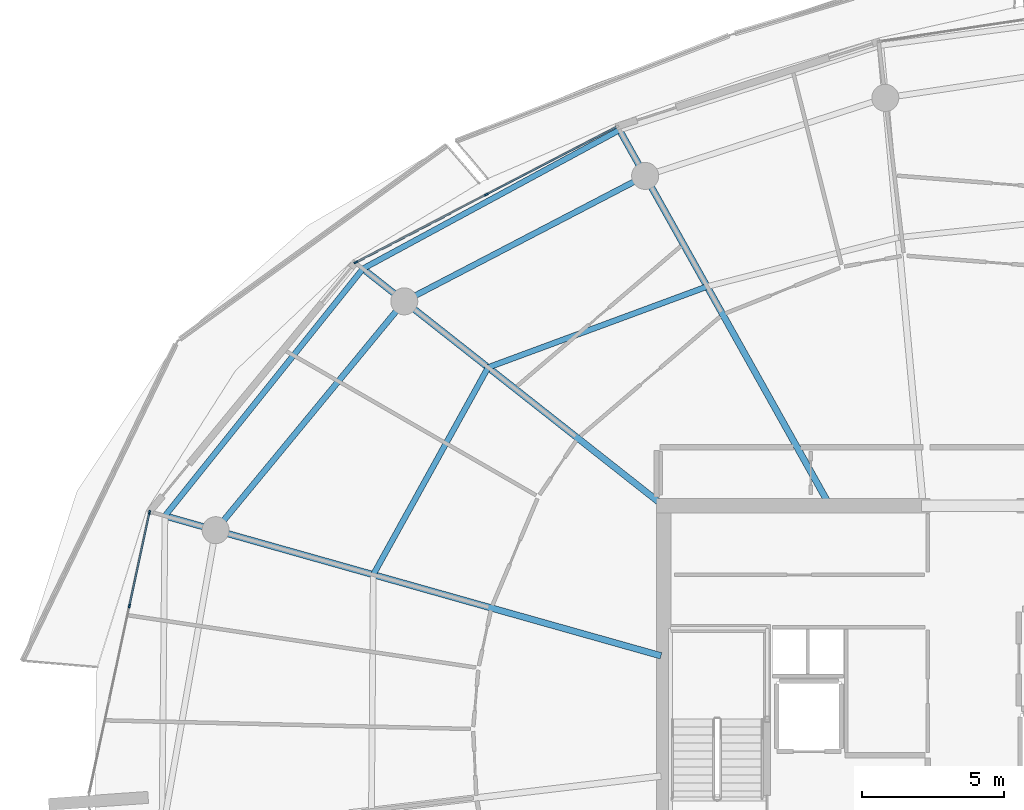
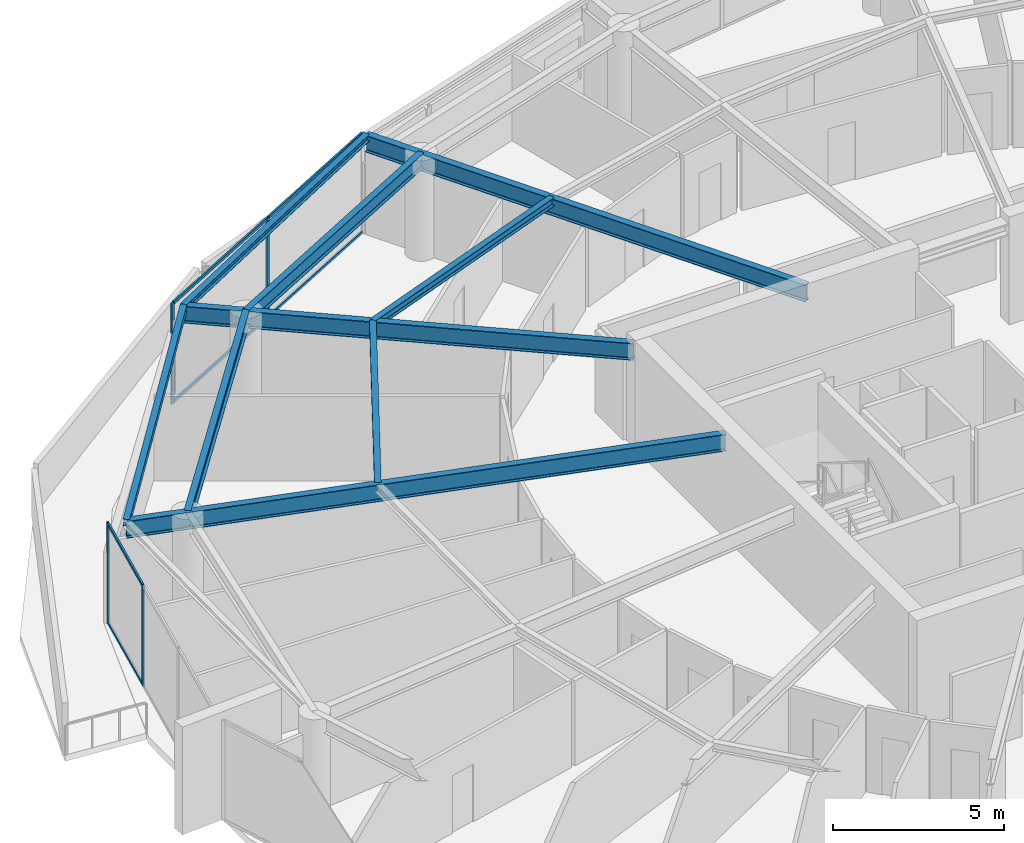
# One storey, part 12 of 30: 10 members, 9 beams, 2 elements without a shape of their own.
"""IFC4 building model written with IfcOpenShell, lengths in metres."""

from ifc_helpers import new_model, si_unit, direction, frame, origin, origin_2d, place, context, subcontext, project, spatial, rectangle, i_section, extrude, material, layer, layer_set, material_profile, profile_set, type_object, element, aggregate, save


model = new_model("IFC4")

# Units and contexts
model_context = context("Model", 3, precision=1e-05, world=origin(), true_north=direction((0.0, 1.0)))
body_context = subcontext(model_context, "Body", "Model", "MODEL_VIEW")
ifc_project = project(units=[si_unit("LENGTHUNIT", "METRE"), si_unit("AREAUNIT", "SQUARE_METRE"), si_unit("VOLUMEUNIT", "CUBIC_METRE"), si_unit("PLANEANGLEUNIT", "RADIAN"), si_unit("MASSUNIT", "GRAM", prefix="KILO")], contexts=[model_context])

# Site, building, storey
site_placement = place(None, origin())
site = spatial("IfcSite", under=ifc_project, at=site_placement, CompositionType="ELEMENT")
building_placement = place(site_placement, origin())
building = spatial("IfcBuilding", under=site, at=building_placement, Name="Kazma Halo Residences", CompositionType="ELEMENT")
storey_placement = place(building_placement, frame((0.0, 0.0, 290.60009765625)))
storey = spatial("IfcBuildingStorey", under=building, at=storey_placement, Name="L73", CompositionType="ELEMENT", Elevation=290.60009765625)

# Beams
ifc_material_1 = material(Name="Steel S355", Category="steel")
ifc_material_profile_1 = material_profile(ifc_material_1, i_section(OverallWidth=0.201904296875, OverallDepth=0.2470703125, WebThickness=0.00732421875, FlangeThickness=0.010986328125, FilletRadius=0.011962890625, at=origin_2d()), Name="W250x49.1")
ifc_profile_set_1 = profile_set([ifc_material_profile_1], Name="Steel S355")
beam_type_1 = type_object("IfcBeamType", Name="BM-BAL-CANT", PredefinedType="BEAM", material=ifc_profile_set_1)
beam_1_placement = place(storey_placement, frame((35.990478515625, 63.444580078125, 3.46630859375), z_axis=(-0.879517282036, -0.475866946321, 0.0), x_axis=(0.475866946321, -0.879517282036, 0.0)))
element("IfcBeam", 1, at=beam_1_placement, inside=storey, type_object=beam_type_1, Name="L73 wave-balcony tie beam 05", PredefinedType="BEAM", context=body_context, shape_type="SweptSolid", body=[
    extrude(i_section(OverallWidth=0.201904296875, OverallDepth=0.2470703125, WebThickness=0.00732421875, FlangeThickness=0.010986328125, FilletRadius=0.011962890625, at=origin_2d()), origin(), (0.0, 0.0, 1.0), 10.243408203125),
])
beam_2_placement = place(storey_placement, frame((26.981201171875, 58.570068359375, 3.46630859375), z_axis=(-0.625117912406, -0.780530329705, 0.0), x_axis=(0.780530329705, -0.625117912406, 0.0)))
element("IfcBeam", 2, at=beam_2_placement, inside=storey, type_object=beam_type_1, Name="L73 wave-balcony tie beam 06", PredefinedType="BEAM", context=body_context, shape_type="SweptSolid", body=[
    extrude(i_section(OverallWidth=0.201904296875, OverallDepth=0.2470703125, WebThickness=0.00732421875, FlangeThickness=0.010986328125, FilletRadius=0.011962890625, at=origin_2d()), origin(), (0.0, 0.0, 1.0), 11.1220703125),
])
ifc_material_profile_2 = material_profile(ifc_material_1, i_section(OverallWidth=0.22802734375, OverallDepth=0.60791015625, WebThickness=0.01123046875, FlangeThickness=0.017333984375, FilletRadius=0.01806640625, at=origin_2d()), Name="W610x113")
ifc_profile_set_2 = profile_set([ifc_material_profile_2], Name="Steel S355")
beam_type_2 = type_object("IfcBeamType", Name="BM-RAD-W610", PredefinedType="BEAM", material=ifc_profile_set_2)
beam_3_placement = place(storey_placement, frame((43.32373046875, 50.35009765625, 3.285888671875), z_axis=(-0.488620706085, 0.872496306918, 0.0), x_axis=(-0.872496306918, -0.488620706085, 0.0)))
element("IfcBeam", 3, at=beam_3_placement, inside=storey, type_object=beam_type_2, Name="L73 radial floor beam 05", PredefinedType="BEAM", context=body_context, shape_type="SweptSolid", body=[
    extrude(i_section(OverallWidth=0.22802734375, OverallDepth=0.60791015625, WebThickness=0.01123046875, FlangeThickness=0.017333984375, FilletRadius=0.01806640625, at=origin_2d()), origin(), (0.0, 0.0, 1.0), 15.008056640625),
])
beam_4_placement = place(storey_placement, frame((37.449951171875, 50.31689453125, 3.285888671875), z_axis=(-0.785306836423, 0.619106753854, 0.0), x_axis=(-0.619106753854, -0.785306836423, 0.0)))
element("IfcBeam", 4, at=beam_4_placement, inside=storey, type_object=beam_type_2, Name="L73 radial floor beam 06", PredefinedType="BEAM", context=body_context, shape_type="SweptSolid", body=[
    extrude(i_section(OverallWidth=0.22802734375, OverallDepth=0.60791015625, WebThickness=0.01123046875, FlangeThickness=0.017333984375, FilletRadius=0.01806640625, at=origin_2d()), origin(), (0.0, 0.0, 1.0), 13.330810546875),
])
beam_5_placement = place(storey_placement, frame((37.449951171875, 44.975341796875, 3.285888671875), z_axis=(-0.962451844494, 0.271452476559, 0.0), x_axis=(-0.271452476559, -0.962451844494, 0.0)))
element("IfcBeam", 5, at=beam_5_placement, inside=storey, type_object=beam_type_2, Name="L73 radial floor beam 07", PredefinedType="BEAM", context=body_context, shape_type="SweptSolid", body=[
    extrude(i_section(OverallWidth=0.22802734375, OverallDepth=0.60791015625, WebThickness=0.01123046875, FlangeThickness=0.017333984375, FilletRadius=0.01806640625, at=origin_2d()), origin(), (0.0, 0.0, 1.0), 18.10107421875),
])
ifc_material_profile_3 = material_profile(ifc_material_1, i_section(OverallWidth=0.202880859375, OverallDepth=0.302978515625, WebThickness=0.007568359375, FlangeThickness=0.01318359375, FilletRadius=0.013916015625, at=origin_2d()), Name="W310x60")
ifc_profile_set_3 = profile_set([ifc_material_profile_3], Name="Steel S355")
beam_type_3 = type_object("IfcBeamType", Name="BM-SEC-W310A", PredefinedType="JOIST", material=ifc_profile_set_3)
beam_6_placement = place(storey_placement, frame((39.070556640625, 57.94482421875, 3.4384765625), z_axis=(-0.938068342894, -0.346450262029, 0.0), x_axis=(0.346450262029, -0.938068342894, 0.0)))
element("IfcBeam", 6, at=beam_6_placement, inside=storey, type_object=beam_type_3, Name="L73 circumferential floor joist 05", PredefinedType="JOIST", context=body_context, shape_type="SweptSolid", body=[
    extrude(i_section(OverallWidth=0.202880859375, OverallDepth=0.302978515625, WebThickness=0.007568359375, FlangeThickness=0.01318359375, FilletRadius=0.013916015625, at=origin_2d()), origin(), (0.0, 0.0, 1.0), 8.200439453125),
])
beam_7_placement = place(storey_placement, frame((31.3779296875, 55.103759765625, 3.4384765625), z_axis=(-0.484616234235, -0.874726874811, 0.0), x_axis=(0.874726874811, -0.484616234235, 0.0)))
element("IfcBeam", 7, at=beam_7_placement, inside=storey, type_object=beam_type_3, Name="L73 circumferential floor joist 06", PredefinedType="JOIST", context=body_context, shape_type="SweptSolid", body=[
    extrude(i_section(OverallWidth=0.202880859375, OverallDepth=0.302978515625, WebThickness=0.007568359375, FlangeThickness=0.01318359375, FilletRadius=0.013916015625, at=origin_2d()), origin(), (0.0, 0.0, 1.0), 8.321044921875),
])
ifc_material_profile_4 = material_profile(ifc_material_1, i_section(OverallWidth=0.208984375, OverallDepth=0.532958984375, WebThickness=0.01025390625, FlangeThickness=0.015625, FilletRadius=0.01611328125, at=origin_2d()), Name="W530x92")
ifc_profile_set_4 = profile_set([ifc_material_profile_4], Name="Steel S355")
beam_type_4 = type_object("IfcBeamType", Name="BM-SPN-W530", PredefinedType="BEAM", material=ifc_profile_set_4)
beam_8_placement = place(storey_placement, frame((36.89453125, 61.830322265625, 3.323486328125), z_axis=(-0.886961047115, -0.461844238788, 0.0), x_axis=(0.461844238788, -0.886961047115, 0.0)))
element("IfcBeam", 8, at=beam_8_placement, inside=storey, type_object=beam_type_4, Name="L73 perimeter ring beam 05", PredefinedType="BEAM", context=body_context, shape_type="SweptSolid", body=[
    extrude(i_section(OverallWidth=0.208984375, OverallDepth=0.532958984375, WebThickness=0.01025390625, FlangeThickness=0.015625, FilletRadius=0.01611328125, at=origin_2d()), origin(), (0.0, 0.0, 1.0), 9.5390625),
])
beam_9_placement = place(storey_placement, frame((28.433837890625, 57.4248046875, 3.323486328125), z_axis=(-0.636002144225, -0.771687289348, 0.0), x_axis=(0.771687289348, -0.636002144225, 0.0)))
element("IfcBeam", 9, at=beam_9_placement, inside=storey, type_object=beam_type_4, Name="L73 perimeter ring beam 06", PredefinedType="BEAM", context=body_context, shape_type="SweptSolid", body=[
    extrude(i_section(OverallWidth=0.208984375, OverallDepth=0.532958984375, WebThickness=0.01025390625, FlangeThickness=0.015625, FilletRadius=0.01611328125, at=origin_2d()), origin(), (0.0, 0.0, 1.0), 10.416259765625),
])

# Curtain wall, members
ifc_material_2 = material(Name="Aluminium AW-6063 T6 and Triple-Silver Low-E Glass", Category="aluminium")
ifc_layer = layer(ifc_material_2, 0.139892578125)
ifc_layer_set = layer_set([ifc_layer], Name="Aluminium AW-6063 T6 and Triple-Silver Low-E Glass")
curtain_wall_type = type_object("IfcCurtainWallType", Name="CW-SYS-5", PredefinedType="NOTDEFINED", material=ifc_layer_set)
curtain_wall_1_placement = place(storey_placement, origin())
curtain_wall_1 = element("IfcCurtainWall", 10, at=curtain_wall_1_placement, inside=storey, type_object=curtain_wall_type, Name="L73 unitised curtain wall B05", PredefinedType="NOTDEFINED")
ifc_material_3 = material(Name="Aluminium AW-6063 T6", Category="aluminium")
ifc_material_profile_5 = material_profile(ifc_material_3, rectangle(XDim=0.06005859375, YDim=0.139892578125, at=origin_2d()), Name="CWM-60x140")
ifc_profile_set_5 = profile_set([ifc_material_profile_5], Name="Aluminium AW-6063 T6")
member_type_1 = type_object("IfcMemberType", Name="CW-SYS-5-MUL", PredefinedType="MULLION", material=ifc_profile_set_5)
member_1_placement = place(storey_placement, frame((31.31591796875, 61.175537109375, 0.0), z_axis=(0.0, 0.0, 1.0), x_axis=(0.460960760804, -0.887420518694, 0.0)))
member_1 = element("IfcMember", 11, at=member_1_placement, type_object=member_type_1, Name="CWS-5 mullion 2", PredefinedType="MULLION", context=body_context, shape_type="SweptSolid", body=[
    extrude(rectangle(XDim=0.06005859375, YDim=0.139892578125, at=origin_2d()), origin(), (0.0, 0.0, 1.0), 3.58984375),
])
member_2_placement = place(storey_placement, frame((26.737060546875, 58.797119140625, 0.0), z_axis=(0.0, 0.0, 1.0), x_axis=(0.460960760804, -0.887420518694, 0.0)))
member_2 = element("IfcMember", 12, at=member_2_placement, type_object=member_type_1, Name="CWS-5 mullion 3", PredefinedType="MULLION", context=body_context, shape_type="SweptSolid", body=[
    extrude(rectangle(XDim=0.06005859375, YDim=0.139892578125, at=origin_2d()), origin(), (0.0, 0.0, 1.0), 3.58984375),
])

curtain_wall_2_placement = place(storey_placement, origin())
curtain_wall_2 = element("IfcCurtainWall", 13, at=curtain_wall_2_placement, inside=storey, type_object=curtain_wall_type, Name="L73 unitised curtain wall B07", PredefinedType="NOTDEFINED")
member_3_placement = place(storey_placement, frame((19.485107421875, 50.010986328125, 0.0), z_axis=(0.0, 0.0, 1.0), x_axis=(0.97777491373, -0.209657382603, 0.0)))
member_3 = element("IfcMember", 14, at=member_3_placement, type_object=member_type_1, Name="CWS-5 mullion 1", PredefinedType="MULLION", context=body_context, shape_type="SweptSolid", body=[
    extrude(rectangle(XDim=0.06005859375, YDim=0.139892578125, at=origin_2d()), origin(), (0.0, 0.0, 1.0), 3.58984375),
])
member_4_placement = place(storey_placement, frame((18.781005859375, 46.7265625, 0.0), z_axis=(0.0, 0.0, 1.0), x_axis=(0.97777491373, -0.209657382603, 0.0)))
member_4 = element("IfcMember", 15, at=member_4_placement, type_object=member_type_1, Name="CWS-5 mullion 2", PredefinedType="MULLION", context=body_context, shape_type="SweptSolid", body=[
    extrude(rectangle(XDim=0.06005859375, YDim=0.139892578125, at=origin_2d()), origin(), (0.0, 0.0, 1.0), 3.58984375),
])

# Member
ifc_material_profile_6 = material_profile(ifc_material_3, rectangle(XDim=0.06005859375, YDim=0.10498046875, at=origin_2d()), Name="CWT-60x105")
ifc_profile_set_6 = profile_set([ifc_material_profile_6], Name="Aluminium AW-6063 T6")
member_type_2 = type_object("IfcMemberType", Name="CW-SYS-5-TRN", PredefinedType="USERDEFINED", material=ifc_profile_set_6)
member_5_placement = place(storey_placement, frame((35.8681640625, 63.5400390625, 0.02978515625), z_axis=(-0.887436955863, -0.46092911534, 0.0), x_axis=(0.46092911534, -0.887436955863, 0.0)))
member_5 = element("IfcMember", 16, at=member_5_placement, type_object=member_type_2, Name="CWS-5 transom 1.1", ObjectType="TRANSOM", PredefinedType="USERDEFINED", context=body_context, shape_type="SweptSolid", body=[
    extrude(rectangle(XDim=0.06005859375, YDim=0.10498046875, at=origin_2d()), origin(), (0.0, 0.0, 1.0), 5.099609375),
])

member_6_placement = place(storey_placement, frame((35.8681640625, 63.5400390625, 3.559814453125), z_axis=(-0.887436955863, -0.46092911534, 0.0), x_axis=(0.46092911534, -0.887436955863, 0.0)))
member_6 = element("IfcMember", 17, at=member_6_placement, type_object=member_type_2, Name="CWS-5 transom 1.2", ObjectType="TRANSOM", PredefinedType="USERDEFINED", context=body_context, shape_type="SweptSolid", body=[
    extrude(rectangle(XDim=0.06005859375, YDim=0.10498046875, at=origin_2d()), origin(), (0.0, 0.0, 1.0), 5.099609375),
])

member_7_placement = place(storey_placement, frame((31.289306640625, 61.16162109375, 0.02978515625), z_axis=(-0.887436955863, -0.46092911534, 0.0), x_axis=(0.46092911534, -0.887436955863, 0.0)))
member_7 = element("IfcMember", 18, at=member_7_placement, type_object=member_type_2, Name="CWS-5 transom 2.1", ObjectType="TRANSOM", PredefinedType="USERDEFINED", context=body_context, shape_type="SweptSolid", body=[
    extrude(rectangle(XDim=0.06005859375, YDim=0.10498046875, at=origin_2d()), origin(), (0.0, 0.0, 1.0), 5.099609375),
])

member_8_placement = place(storey_placement, frame((31.289306640625, 61.16162109375, 3.559814453125), z_axis=(-0.887436955863, -0.46092911534, 0.0), x_axis=(0.46092911534, -0.887436955863, 0.0)))
member_8 = element("IfcMember", 19, at=member_8_placement, type_object=member_type_2, Name="CWS-5 transom 2.2", ObjectType="TRANSOM", PredefinedType="USERDEFINED", context=body_context, shape_type="SweptSolid", body=[
    extrude(rectangle(XDim=0.06005859375, YDim=0.10498046875, at=origin_2d()), origin(), (0.0, 0.0, 1.0), 5.099609375),
])

aggregate(curtain_wall_1, [member_1, member_2, member_5, member_6, member_7, member_8])

member_9_placement = place(storey_placement, frame((19.47900390625, 49.9814453125, 0.02978515625), z_axis=(-0.209660493552, -0.977774246666, 0.0), x_axis=(0.977774246666, -0.209660493552, 0.0)))
member_9 = element("IfcMember", 20, at=member_9_placement, type_object=member_type_2, Name="CWS-5 transom 1.1", ObjectType="TRANSOM", PredefinedType="USERDEFINED", context=body_context, shape_type="SweptSolid", body=[
    extrude(rectangle(XDim=0.06005859375, YDim=0.10498046875, at=origin_2d()), origin(), (0.0, 0.0, 1.0), 3.298828125),
])

member_10_placement = place(storey_placement, frame((19.47900390625, 49.9814453125, 3.559814453125), z_axis=(-0.209660493552, -0.977774246666, 0.0), x_axis=(0.977774246666, -0.209660493552, 0.0)))
member_10 = element("IfcMember", 21, at=member_10_placement, type_object=member_type_2, Name="CWS-5 transom 1.2", ObjectType="TRANSOM", PredefinedType="USERDEFINED", context=body_context, shape_type="SweptSolid", body=[
    extrude(rectangle(XDim=0.06005859375, YDim=0.10498046875, at=origin_2d()), origin(), (0.0, 0.0, 1.0), 3.298828125),
])

aggregate(curtain_wall_2, [member_3, member_4, member_9, member_10])

save(model, "model.ifc")
